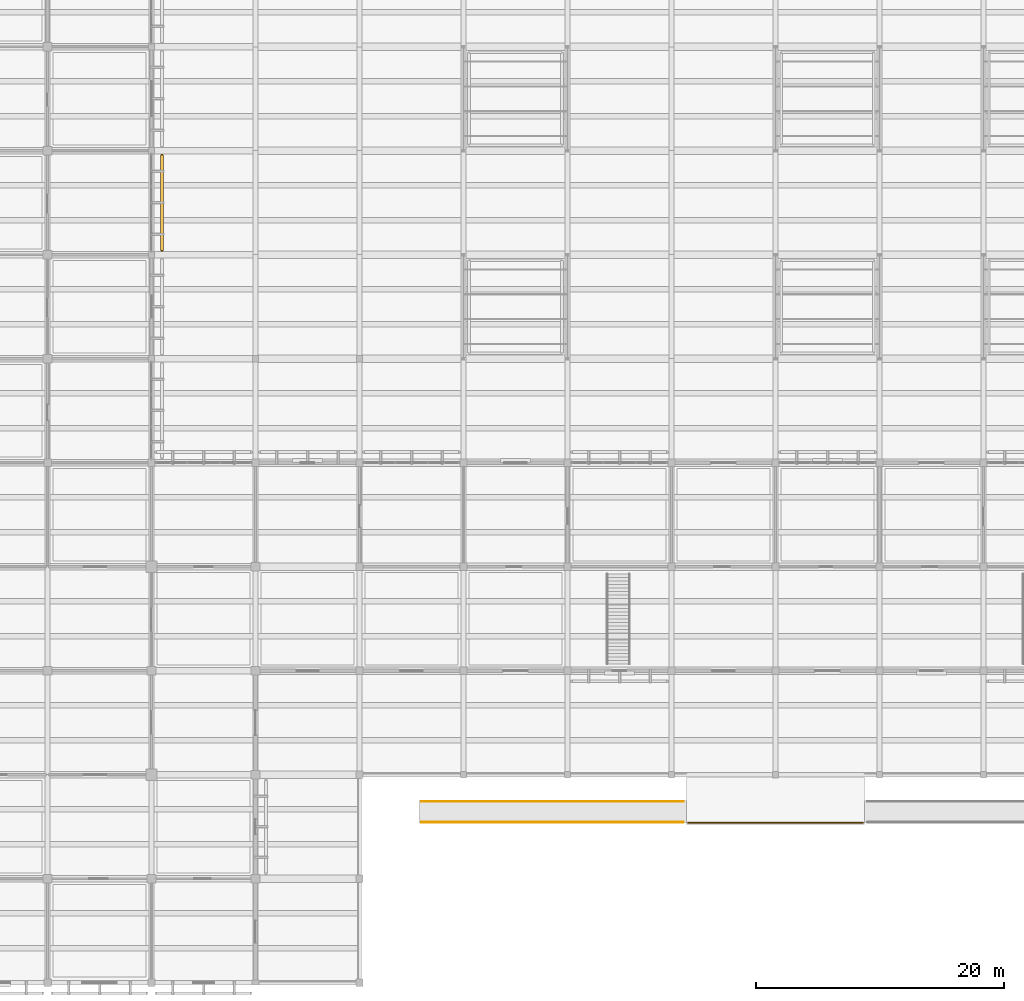
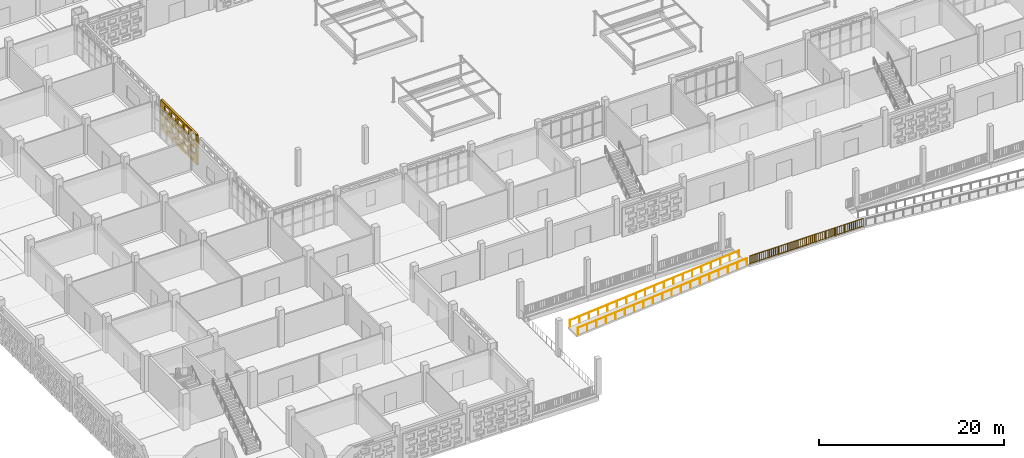
# One storey, part 90 of 129: 3 railings, 1 covering, 1 shading device, 20 openings.
"""IFC4 building model written with IfcOpenShell, lengths in metres."""

from ifc_helpers import new_model, si_unit, direction, frame, frame_2d, origin, origin_2d, place, context, subcontext, project, spatial, rectangle, circle, extrude, material, layer, layer_set, type_object, element, save


model = new_model("IFC4")

# Units and contexts
model_context = context("Model", 3, precision=1e-05, world=origin(), true_north=direction((0.0, 1.0)))
body_context = subcontext(model_context, "Body", "Model", "MODEL_VIEW")
ifc_project = project(units=[si_unit("LENGTHUNIT", "METRE"), si_unit("AREAUNIT", "SQUARE_METRE"), si_unit("VOLUMEUNIT", "CUBIC_METRE"), si_unit("PLANEANGLEUNIT", "RADIAN"), si_unit("MASSUNIT", "GRAM", prefix="KILO")], contexts=[model_context])

# Site, building, storey
site_placement = place(None, origin())
site = spatial("IfcSite", under=ifc_project, at=site_placement, CompositionType="ELEMENT")
building_placement = place(site_placement, origin())
building = spatial("IfcBuilding", under=site, at=building_placement, Name="Varnapada Polytechnic", CompositionType="ELEMENT")
storey_placement = place(building_placement, origin())
storey = spatial("IfcBuildingStorey", under=building, at=storey_placement, Name="L00", CompositionType="ELEMENT", Elevation=0.0)

# Railings
ifc_material_1 = material(Name="Stainless steel handrail", Category="steel")
railing_type_1 = type_object("IfcRailingType", Name="Ramp Handrail HRL-01", PredefinedType="HANDRAIL", material=ifc_material_1)
railing_1_placement = place(storey_placement, frame((63.800048828125, 12.9599609375, -1.800048828125)))
element("IfcRailing", 1, at=railing_1_placement, inside=storey, type_object=railing_type_1, Name="South square west colonnade plinth ramp handrail L", PredefinedType="HANDRAIL", context=body_context, shape_type="SweptSolid", body=[
    extrude(circle(Radius=0.02392578125, at=origin_2d()), frame((0.0, 0.0, 0.89599609375), z_axis=(0.996397779752, 0.0, 0.084802502945), x_axis=(0.0, 1.0, 0.0)), (0.0, 0.0, 1.0), 21.226318359375),
    extrude(circle(Radius=0.02099609375, at=origin_2d()), origin(), (0.0, 0.0, 1.0), 0.871826171875),
    extrude(circle(Radius=0.02099609375, at=origin_2d()), frame((1.175048828125, 0.0, 0.10009765625)), (0.0, 0.0, 1.0), 0.871826171875),
    extrude(circle(Radius=0.02099609375, at=origin_2d()), frame((2.35009765625, 0.0, 0.199951171875)), (0.0, 0.0, 1.0), 0.871826171875),
    extrude(circle(Radius=0.02099609375, at=origin_2d()), frame((3.52490234375, 0.0, 0.300048828125)), (0.0, 0.0, 1.0), 0.871826171875),
    extrude(circle(Radius=0.02099609375, at=origin_2d()), frame((4.699951171875, 0.0, 0.39990234375)), (0.0, 0.0, 1.0), 0.871826171875),
    extrude(circle(Radius=0.02099609375, at=origin_2d()), frame((5.875, 0.0, 0.5)), (0.0, 0.0, 1.0), 0.871826171875),
    extrude(circle(Radius=0.02099609375, at=origin_2d()), frame((7.050048828125, 0.0, 0.60009765625)), (0.0, 0.0, 1.0), 0.871826171875),
    extrude(circle(Radius=0.02099609375, at=origin_2d()), frame((8.224853515625, 0.0, 0.699951171875)), (0.0, 0.0, 1.0), 0.871826171875),
    extrude(circle(Radius=0.02099609375, at=origin_2d()), frame((9.39990234375, 0.0, 0.800048828125)), (0.0, 0.0, 1.0), 0.871826171875),
    extrude(circle(Radius=0.02099609375, at=origin_2d()), frame((10.574951171875, 0.0, 0.89990234375)), (0.0, 0.0, 1.0), 0.871826171875),
    extrude(circle(Radius=0.02099609375, at=origin_2d()), frame((11.75, 0.0, 1.0)), (0.0, 0.0, 1.0), 0.871826171875),
    extrude(circle(Radius=0.02099609375, at=origin_2d()), frame((12.925048828125, 0.0, 1.10009765625)), (0.0, 0.0, 1.0), 0.871826171875),
    extrude(circle(Radius=0.02099609375, at=origin_2d()), frame((14.099853515625, 0.0, 1.199951171875)), (0.0, 0.0, 1.0), 0.871826171875),
    extrude(circle(Radius=0.02099609375, at=origin_2d()), frame((15.27490234375, 0.0, 1.300048828125)), (0.0, 0.0, 1.0), 0.871826171875),
    extrude(circle(Radius=0.02099609375, at=origin_2d()), frame((16.449951171875, 0.0, 1.400146484375)), (0.0, 0.0, 1.0), 0.871826171875),
    extrude(circle(Radius=0.02099609375, at=origin_2d()), frame((17.625, 0.0, 1.5)), (0.0, 0.0, 1.0), 0.871826171875),
    extrude(circle(Radius=0.02099609375, at=origin_2d()), frame((18.7998046875, 0.0, 1.60009765625)), (0.0, 0.0, 1.0), 0.871826171875),
    extrude(circle(Radius=0.02099609375, at=origin_2d()), frame((19.974853515625, 0.0, 1.699951171875)), (0.0, 0.0, 1.0), 0.871826171875),
    extrude(circle(Radius=0.02099609375, at=origin_2d()), frame((21.14990234375, 0.0, 1.800048828125)), (0.0, 0.0, 1.0), 0.871826171875),
])
railing_2_placement = place(storey_placement, frame((63.800048828125, 14.639892578125, -1.800048828125)))
element("IfcRailing", 2, at=railing_2_placement, inside=storey, type_object=railing_type_1, Name="South square west colonnade plinth ramp handrail R", PredefinedType="HANDRAIL", context=body_context, shape_type="SweptSolid", body=[
    extrude(circle(Radius=0.02392578125, at=origin_2d()), frame((0.0, 0.0, 0.89599609375), z_axis=(0.996397779752, 0.0, 0.084802502945), x_axis=(0.0, 1.0, 0.0)), (0.0, 0.0, 1.0), 21.226318359375),
    extrude(circle(Radius=0.02099609375, at=origin_2d()), origin(), (0.0, 0.0, 1.0), 0.871826171875),
    extrude(circle(Radius=0.02099609375, at=origin_2d()), frame((1.175048828125, 0.0, 0.10009765625)), (0.0, 0.0, 1.0), 0.871826171875),
    extrude(circle(Radius=0.02099609375, at=origin_2d()), frame((2.35009765625, 0.0, 0.199951171875)), (0.0, 0.0, 1.0), 0.871826171875),
    extrude(circle(Radius=0.02099609375, at=origin_2d()), frame((3.52490234375, 0.0, 0.300048828125)), (0.0, 0.0, 1.0), 0.871826171875),
    extrude(circle(Radius=0.02099609375, at=origin_2d()), frame((4.699951171875, 0.0, 0.39990234375)), (0.0, 0.0, 1.0), 0.871826171875),
    extrude(circle(Radius=0.02099609375, at=origin_2d()), frame((5.875, 0.0, 0.5)), (0.0, 0.0, 1.0), 0.871826171875),
    extrude(circle(Radius=0.02099609375, at=origin_2d()), frame((7.050048828125, 0.0, 0.60009765625)), (0.0, 0.0, 1.0), 0.871826171875),
    extrude(circle(Radius=0.02099609375, at=origin_2d()), frame((8.224853515625, 0.0, 0.699951171875)), (0.0, 0.0, 1.0), 0.871826171875),
    extrude(circle(Radius=0.02099609375, at=origin_2d()), frame((9.39990234375, 0.0, 0.800048828125)), (0.0, 0.0, 1.0), 0.871826171875),
    extrude(circle(Radius=0.02099609375, at=origin_2d()), frame((10.574951171875, 0.0, 0.89990234375)), (0.0, 0.0, 1.0), 0.871826171875),
    extrude(circle(Radius=0.02099609375, at=origin_2d()), frame((11.75, 0.0, 1.0)), (0.0, 0.0, 1.0), 0.871826171875),
    extrude(circle(Radius=0.02099609375, at=origin_2d()), frame((12.925048828125, 0.0, 1.10009765625)), (0.0, 0.0, 1.0), 0.871826171875),
    extrude(circle(Radius=0.02099609375, at=origin_2d()), frame((14.099853515625, 0.0, 1.199951171875)), (0.0, 0.0, 1.0), 0.871826171875),
    extrude(circle(Radius=0.02099609375, at=origin_2d()), frame((15.27490234375, 0.0, 1.300048828125)), (0.0, 0.0, 1.0), 0.871826171875),
    extrude(circle(Radius=0.02099609375, at=origin_2d()), frame((16.449951171875, 0.0, 1.400146484375)), (0.0, 0.0, 1.0), 0.871826171875),
    extrude(circle(Radius=0.02099609375, at=origin_2d()), frame((17.625, 0.0, 1.5)), (0.0, 0.0, 1.0), 0.871826171875),
    extrude(circle(Radius=0.02099609375, at=origin_2d()), frame((18.7998046875, 0.0, 1.60009765625)), (0.0, 0.0, 1.0), 0.871826171875),
    extrude(circle(Radius=0.02099609375, at=origin_2d()), frame((19.974853515625, 0.0, 1.699951171875)), (0.0, 0.0, 1.0), 0.871826171875),
    extrude(circle(Radius=0.02099609375, at=origin_2d()), frame((21.14990234375, 0.0, 1.800048828125)), (0.0, 0.0, 1.0), 0.871826171875),
])
ifc_material_2 = material(Name="Painted galvanized steel", Category="steel")
railing_type_2 = type_object("IfcRailingType", Name="Terrace Guard Rail GRD-01", PredefinedType="BALUSTRADE", material=ifc_material_2)
railing_3_placement = place(storey_placement, frame((85.320068359375, 12.919921875, 0.0)))
element("IfcRailing", 3, at=railing_3_placement, inside=storey, type_object=railing_type_2, Name="L00 civic square colonnade edge guard GRD-SQ-CS", PredefinedType="BALUSTRADE", context=body_context, shape_type="SweptSolid", body=[
    extrude(circle(Radius=0.02392578125, at=origin_2d()), frame((0.0, 0.0, 1.09619140625), z_axis=(1.0, 0.0, 0.0), x_axis=(0.0, 1.0, 0.0)), (0.0, 0.0, 1.0), 14.159912109375),
    extrude(circle(Radius=0.02392578125, at=origin_2d()), frame((0.0, 0.0, 0.10009765625), z_axis=(1.0, 0.0, 0.0), x_axis=(0.0, 1.0, 0.0)), (0.0, 0.0, 1.0), 14.159912109375),
    extrude(circle(Radius=0.02099609375, at=origin_2d()), origin(), (0.0, 0.0, 1.0), 1.072021484375),
    extrude(circle(Radius=0.02099609375, at=origin_2d()), frame((1.179931640625, 0.0, 0.0)), (0.0, 0.0, 1.0), 1.072021484375),
    extrude(circle(Radius=0.02099609375, at=origin_2d()), frame((2.35986328125, 0.0, 0.0)), (0.0, 0.0, 1.0), 1.072021484375),
    extrude(circle(Radius=0.02099609375, at=origin_2d()), frame((3.5400390625, 0.0, 0.0)), (0.0, 0.0, 1.0), 1.072021484375),
    extrude(circle(Radius=0.02099609375, at=origin_2d()), frame((4.719970703125, 0.0, 0.0)), (0.0, 0.0, 1.0), 1.072021484375),
    extrude(circle(Radius=0.02099609375, at=origin_2d()), frame((5.89990234375, 0.0, 0.0)), (0.0, 0.0, 1.0), 1.072021484375),
    extrude(circle(Radius=0.02099609375, at=origin_2d()), frame((7.080078125, 0.0, 0.0)), (0.0, 0.0, 1.0), 1.072021484375),
    extrude(circle(Radius=0.02099609375, at=origin_2d()), frame((8.260009765625, 0.0, 0.0)), (0.0, 0.0, 1.0), 1.072021484375),
    extrude(circle(Radius=0.02099609375, at=origin_2d()), frame((9.43994140625, 0.0, 0.0)), (0.0, 0.0, 1.0), 1.072021484375),
    extrude(circle(Radius=0.02099609375, at=origin_2d()), frame((10.619873046875, 0.0, 0.0)), (0.0, 0.0, 1.0), 1.072021484375),
    extrude(circle(Radius=0.02099609375, at=origin_2d()), frame((11.7998046875, 0.0, 0.0)), (0.0, 0.0, 1.0), 1.072021484375),
    extrude(circle(Radius=0.02099609375, at=origin_2d()), frame((12.97998046875, 0.0, 0.0)), (0.0, 0.0, 1.0), 1.072021484375),
    extrude(circle(Radius=0.02099609375, at=origin_2d()), frame((14.159912109375, 0.0, 0.0)), (0.0, 0.0, 1.0), 1.072021484375),
    extrude(circle(Radius=0.010009765625, at=origin_2d()), frame((0.244140625, 0.0, 0.10009765625)), (0.0, 0.0, 1.0), 0.971923828125),
    extrude(circle(Radius=0.010009765625, at=origin_2d()), frame((0.48828125, 0.0, 0.10009765625)), (0.0, 0.0, 1.0), 0.971923828125),
    extrude(circle(Radius=0.010009765625, at=origin_2d()), frame((0.732421875, 0.0, 0.10009765625)), (0.0, 0.0, 1.0), 0.971923828125),
    extrude(circle(Radius=0.010009765625, at=origin_2d()), frame((0.9765625, 0.0, 0.10009765625)), (0.0, 0.0, 1.0), 0.971923828125),
    extrude(circle(Radius=0.010009765625, at=origin_2d()), frame((1.220703125, 0.0, 0.10009765625)), (0.0, 0.0, 1.0), 0.971923828125),
    extrude(circle(Radius=0.010009765625, at=origin_2d()), frame((1.46484375, 0.0, 0.10009765625)), (0.0, 0.0, 1.0), 0.971923828125),
    extrude(circle(Radius=0.010009765625, at=origin_2d()), frame((1.708984375, 0.0, 0.10009765625)), (0.0, 0.0, 1.0), 0.971923828125),
    extrude(circle(Radius=0.010009765625, at=origin_2d()), frame((1.953125, 0.0, 0.10009765625)), (0.0, 0.0, 1.0), 0.971923828125),
    extrude(circle(Radius=0.010009765625, at=origin_2d()), frame((2.197265625, 0.0, 0.10009765625)), (0.0, 0.0, 1.0), 0.971923828125),
    extrude(circle(Radius=0.010009765625, at=origin_2d()), frame((2.44140625, 0.0, 0.10009765625)), (0.0, 0.0, 1.0), 0.971923828125),
    extrude(circle(Radius=0.010009765625, at=origin_2d()), frame((2.685546875, 0.0, 0.10009765625)), (0.0, 0.0, 1.0), 0.971923828125),
    extrude(circle(Radius=0.010009765625, at=origin_2d()), frame((2.9296875, 0.0, 0.10009765625)), (0.0, 0.0, 1.0), 0.971923828125),
    extrude(circle(Radius=0.010009765625, at=origin_2d()), frame((3.173828125, 0.0, 0.10009765625)), (0.0, 0.0, 1.0), 0.971923828125),
    extrude(circle(Radius=0.010009765625, at=origin_2d()), frame((3.41796875, 0.0, 0.10009765625)), (0.0, 0.0, 1.0), 0.971923828125),
    extrude(circle(Radius=0.010009765625, at=origin_2d()), frame((3.662109375, 0.0, 0.10009765625)), (0.0, 0.0, 1.0), 0.971923828125),
    extrude(circle(Radius=0.010009765625, at=origin_2d()), frame((3.90625, 0.0, 0.10009765625)), (0.0, 0.0, 1.0), 0.971923828125),
    extrude(circle(Radius=0.010009765625, at=origin_2d()), frame((4.150390625, 0.0, 0.10009765625)), (0.0, 0.0, 1.0), 0.971923828125),
    extrude(circle(Radius=0.010009765625, at=origin_2d()), frame((4.39453125, 0.0, 0.10009765625)), (0.0, 0.0, 1.0), 0.971923828125),
    extrude(circle(Radius=0.010009765625, at=origin_2d()), frame((4.638671875, 0.0, 0.10009765625)), (0.0, 0.0, 1.0), 0.971923828125),
    extrude(circle(Radius=0.010009765625, at=origin_2d()), frame((4.8828125, 0.0, 0.10009765625)), (0.0, 0.0, 1.0), 0.971923828125),
    extrude(circle(Radius=0.010009765625, at=origin_2d()), frame((5.126953125, 0.0, 0.10009765625)), (0.0, 0.0, 1.0), 0.971923828125),
    extrude(circle(Radius=0.010009765625, at=origin_2d()), frame((5.37109375, 0.0, 0.10009765625)), (0.0, 0.0, 1.0), 0.971923828125),
    extrude(circle(Radius=0.010009765625, at=origin_2d()), frame((5.615234375, 0.0, 0.10009765625)), (0.0, 0.0, 1.0), 0.971923828125),
    extrude(circle(Radius=0.010009765625, at=origin_2d()), frame((5.859375, 0.0, 0.10009765625)), (0.0, 0.0, 1.0), 0.971923828125),
    extrude(circle(Radius=0.010009765625, at=origin_2d()), frame((6.103515625, 0.0, 0.10009765625)), (0.0, 0.0, 1.0), 0.971923828125),
    extrude(circle(Radius=0.010009765625, at=origin_2d()), frame((6.34765625, 0.0, 0.10009765625)), (0.0, 0.0, 1.0), 0.971923828125),
    extrude(circle(Radius=0.010009765625, at=origin_2d()), frame((6.591796875, 0.0, 0.10009765625)), (0.0, 0.0, 1.0), 0.971923828125),
    extrude(circle(Radius=0.010009765625, at=origin_2d()), frame((6.8359375, 0.0, 0.10009765625)), (0.0, 0.0, 1.0), 0.971923828125),
    extrude(circle(Radius=0.010009765625, at=origin_2d()), frame((7.080078125, 0.0, 0.10009765625)), (0.0, 0.0, 1.0), 0.971923828125),
    extrude(circle(Radius=0.010009765625, at=origin_2d()), frame((7.323974609375, 0.0, 0.10009765625)), (0.0, 0.0, 1.0), 0.971923828125),
    extrude(circle(Radius=0.010009765625, at=origin_2d()), frame((7.568115234375, 0.0, 0.10009765625)), (0.0, 0.0, 1.0), 0.971923828125),
    extrude(circle(Radius=0.010009765625, at=origin_2d()), frame((7.812255859375, 0.0, 0.10009765625)), (0.0, 0.0, 1.0), 0.971923828125),
    extrude(circle(Radius=0.010009765625, at=origin_2d()), frame((8.056396484375, 0.0, 0.10009765625)), (0.0, 0.0, 1.0), 0.971923828125),
    extrude(circle(Radius=0.010009765625, at=origin_2d()), frame((8.300537109375, 0.0, 0.10009765625)), (0.0, 0.0, 1.0), 0.971923828125),
    extrude(circle(Radius=0.010009765625, at=origin_2d()), frame((8.544677734375, 0.0, 0.10009765625)), (0.0, 0.0, 1.0), 0.971923828125),
    extrude(circle(Radius=0.010009765625, at=origin_2d()), frame((8.788818359375, 0.0, 0.10009765625)), (0.0, 0.0, 1.0), 0.971923828125),
    extrude(circle(Radius=0.010009765625, at=origin_2d()), frame((9.032958984375, 0.0, 0.10009765625)), (0.0, 0.0, 1.0), 0.971923828125),
    extrude(circle(Radius=0.010009765625, at=origin_2d()), frame((9.277099609375, 0.0, 0.10009765625)), (0.0, 0.0, 1.0), 0.971923828125),
    extrude(circle(Radius=0.010009765625, at=origin_2d()), frame((9.521240234375, 0.0, 0.10009765625)), (0.0, 0.0, 1.0), 0.971923828125),
    extrude(circle(Radius=0.010009765625, at=origin_2d()), frame((9.765380859375, 0.0, 0.10009765625)), (0.0, 0.0, 1.0), 0.971923828125),
    extrude(circle(Radius=0.010009765625, at=origin_2d()), frame((10.009521484375, 0.0, 0.10009765625)), (0.0, 0.0, 1.0), 0.971923828125),
    extrude(circle(Radius=0.010009765625, at=origin_2d()), frame((10.253662109375, 0.0, 0.10009765625)), (0.0, 0.0, 1.0), 0.971923828125),
    extrude(circle(Radius=0.010009765625, at=origin_2d()), frame((10.497802734375, 0.0, 0.10009765625)), (0.0, 0.0, 1.0), 0.971923828125),
    extrude(circle(Radius=0.010009765625, at=origin_2d()), frame((10.741943359375, 0.0, 0.10009765625)), (0.0, 0.0, 1.0), 0.971923828125),
    extrude(circle(Radius=0.010009765625, at=origin_2d()), frame((10.986083984375, 0.0, 0.10009765625)), (0.0, 0.0, 1.0), 0.971923828125),
    extrude(circle(Radius=0.010009765625, at=origin_2d()), frame((11.230224609375, 0.0, 0.10009765625)), (0.0, 0.0, 1.0), 0.971923828125),
    extrude(circle(Radius=0.010009765625, at=origin_2d()), frame((11.474365234375, 0.0, 0.10009765625)), (0.0, 0.0, 1.0), 0.971923828125),
    extrude(circle(Radius=0.010009765625, at=origin_2d()), frame((11.718505859375, 0.0, 0.10009765625)), (0.0, 0.0, 1.0), 0.971923828125),
    extrude(circle(Radius=0.010009765625, at=origin_2d()), frame((11.962646484375, 0.0, 0.10009765625)), (0.0, 0.0, 1.0), 0.971923828125),
    extrude(circle(Radius=0.010009765625, at=origin_2d()), frame((12.206787109375, 0.0, 0.10009765625)), (0.0, 0.0, 1.0), 0.971923828125),
    extrude(circle(Radius=0.010009765625, at=origin_2d()), frame((12.450927734375, 0.0, 0.10009765625)), (0.0, 0.0, 1.0), 0.971923828125),
    extrude(circle(Radius=0.010009765625, at=origin_2d()), frame((12.695068359375, 0.0, 0.10009765625)), (0.0, 0.0, 1.0), 0.971923828125),
    extrude(circle(Radius=0.010009765625, at=origin_2d()), frame((12.939208984375, 0.0, 0.10009765625)), (0.0, 0.0, 1.0), 0.971923828125),
    extrude(circle(Radius=0.010009765625, at=origin_2d()), frame((13.183349609375, 0.0, 0.10009765625)), (0.0, 0.0, 1.0), 0.971923828125),
    extrude(circle(Radius=0.010009765625, at=origin_2d()), frame((13.427490234375, 0.0, 0.10009765625)), (0.0, 0.0, 1.0), 0.971923828125),
    extrude(circle(Radius=0.010009765625, at=origin_2d()), frame((13.671630859375, 0.0, 0.10009765625)), (0.0, 0.0, 1.0), 0.971923828125),
    extrude(circle(Radius=0.010009765625, at=origin_2d()), frame((13.915771484375, 0.0, 0.10009765625)), (0.0, 0.0, 1.0), 0.971923828125),
])

# Covering, openings
ifc_material_3 = material(Name="Earth-toned architectural terracotta screen block", Category="masonry")
ifc_layer_1 = layer(ifc_material_3, 0.1201171875)
ifc_layer_set_1 = layer_set([ifc_layer_1], Name="Earth-toned architectural terracotta screen block")
covering_type = type_object("IfcCoveringType", Name="Terracotta Screen Cladding CLD-01", PredefinedType="CLADDING", material=ifc_layer_set_1)
covering_placement = place(storey_placement, frame((42.85009765625, 66.949951171875, 0.0), z_axis=(0.0, 0.0, 1.0), x_axis=(0.0, -1.0, 0.0)))
covering = element("IfcCovering", 4, at=covering_placement, inside=storey, type_object=covering_type, Name="L00 perforated terracotta block screen (27)", PredefinedType="CLADDING", context=body_context, shape_type="SweptSolid", body=[
    extrude(rectangle(XDim=7.89990234375, YDim=0.179931640625, at=frame_2d((3.949951171875, 0.0))), origin(), (0.0, 0.0, 1.0), 3.919921875),
])
opening_1_placement = place(covering_placement, frame((0.449951171875, 0.0, 0.313720703125)))
element("IfcOpeningElement", 5, at=opening_1_placement, cuts=covering, Name="Screen perforation TBS-L00-026.1", PredefinedType="OPENING", context=body_context, shape_type="SweptSolid", body=[
    extrude(rectangle(XDim=1.0400390625, YDim=0.679931640625, at=frame_2d((0.52001953125, 0.33984375))), frame((0.0, 0.099853515625, 0.0), z_axis=(0.0, -1.0, 0.0), x_axis=(1.0, 0.0, 0.0)), (0.0, 0.0, 1.0), 0.199951171875),
])
opening_2_placement = place(covering_placement, frame((1.85009765625, 0.0, 0.313720703125)))
element("IfcOpeningElement", 6, at=opening_2_placement, cuts=covering, Name="Screen perforation TBS-L00-026.2", PredefinedType="OPENING", context=body_context, shape_type="SweptSolid", body=[
    extrude(rectangle(XDim=1.0400390625, YDim=0.679931640625, at=frame_2d((0.52001953125, 0.33984375))), frame((0.0, 0.099853515625, 0.0), z_axis=(0.0, -1.0, 0.0), x_axis=(1.0, 0.0, 0.0)), (0.0, 0.0, 1.0), 0.199951171875),
])
opening_3_placement = place(covering_placement, frame((3.25, 0.0, 0.313720703125)))
element("IfcOpeningElement", 7, at=opening_3_placement, cuts=covering, Name="Screen perforation TBS-L00-026.3", PredefinedType="OPENING", context=body_context, shape_type="SweptSolid", body=[
    extrude(rectangle(XDim=1.0400390625, YDim=0.679931640625, at=frame_2d((0.52001953125, 0.33984375))), frame((0.0, 0.099853515625, 0.0), z_axis=(0.0, -1.0, 0.0), x_axis=(1.0, 0.0, 0.0)), (0.0, 0.0, 1.0), 0.199951171875),
])
opening_4_placement = place(covering_placement, frame((4.64990234375, 0.0, 0.313720703125)))
element("IfcOpeningElement", 8, at=opening_4_placement, cuts=covering, Name="Screen perforation TBS-L00-026.4", PredefinedType="OPENING", context=body_context, shape_type="SweptSolid", body=[
    extrude(rectangle(XDim=1.0400390625, YDim=0.679931640625, at=frame_2d((0.52001953125, 0.33984375))), frame((0.0, 0.099853515625, 0.0), z_axis=(0.0, -1.0, 0.0), x_axis=(1.0, 0.0, 0.0)), (0.0, 0.0, 1.0), 0.199951171875),
])
opening_5_placement = place(covering_placement, frame((6.050048828125, 0.0, 0.313720703125)))
element("IfcOpeningElement", 9, at=opening_5_placement, cuts=covering, Name="Screen perforation TBS-L00-026.5", PredefinedType="OPENING", context=body_context, shape_type="SweptSolid", body=[
    extrude(rectangle(XDim=1.0400390625, YDim=0.679931640625, at=frame_2d((0.52001953125, 0.33984375))), frame((0.0, 0.099853515625, 0.0), z_axis=(0.0, -1.0, 0.0), x_axis=(1.0, 0.0, 0.0)), (0.0, 0.0, 1.0), 0.199951171875),
])
opening_6_placement = place(covering_placement, frame((0.81005859375, 0.0, 1.195556640625)))
element("IfcOpeningElement", 10, at=opening_6_placement, cuts=covering, Name="Screen perforation TBS-L00-026.6", PredefinedType="OPENING", context=body_context, shape_type="SweptSolid", body=[
    extrude(rectangle(XDim=1.0400390625, YDim=0.679931640625, at=frame_2d((0.52001953125, 0.33984375))), frame((0.0, 0.099853515625, 0.0), z_axis=(0.0, -1.0, 0.0), x_axis=(1.0, 0.0, 0.0)), (0.0, 0.0, 1.0), 0.199951171875),
])
opening_7_placement = place(covering_placement, frame((2.2099609375, 0.0, 1.195556640625)))
element("IfcOpeningElement", 11, at=opening_7_placement, cuts=covering, Name="Screen perforation TBS-L00-026.7", PredefinedType="OPENING", context=body_context, shape_type="SweptSolid", body=[
    extrude(rectangle(XDim=1.0400390625, YDim=0.679931640625, at=frame_2d((0.52001953125, 0.33984375))), frame((0.0, 0.099853515625, 0.0), z_axis=(0.0, -1.0, 0.0), x_axis=(1.0, 0.0, 0.0)), (0.0, 0.0, 1.0), 0.199951171875),
])
opening_8_placement = place(covering_placement, frame((3.610107421875, 0.0, 1.195556640625)))
element("IfcOpeningElement", 12, at=opening_8_placement, cuts=covering, Name="Screen perforation TBS-L00-026.8", PredefinedType="OPENING", context=body_context, shape_type="SweptSolid", body=[
    extrude(rectangle(XDim=1.0400390625, YDim=0.679931640625, at=frame_2d((0.52001953125, 0.33984375))), frame((0.0, 0.099853515625, 0.0), z_axis=(0.0, -1.0, 0.0), x_axis=(1.0, 0.0, 0.0)), (0.0, 0.0, 1.0), 0.199951171875),
])
opening_9_placement = place(covering_placement, frame((5.010009765625, 0.0, 1.195556640625)))
element("IfcOpeningElement", 13, at=opening_9_placement, cuts=covering, Name="Screen perforation TBS-L00-026.9", PredefinedType="OPENING", context=body_context, shape_type="SweptSolid", body=[
    extrude(rectangle(XDim=1.0400390625, YDim=0.679931640625, at=frame_2d((0.52001953125, 0.33984375))), frame((0.0, 0.099853515625, 0.0), z_axis=(0.0, -1.0, 0.0), x_axis=(1.0, 0.0, 0.0)), (0.0, 0.0, 1.0), 0.199951171875),
])
opening_10_placement = place(covering_placement, frame((6.409912109375, 0.0, 1.195556640625)))
element("IfcOpeningElement", 14, at=opening_10_placement, cuts=covering, Name="Screen perforation TBS-L00-026.10", PredefinedType="OPENING", context=body_context, shape_type="SweptSolid", body=[
    extrude(rectangle(XDim=1.0400390625, YDim=0.679931640625, at=frame_2d((0.52001953125, 0.33984375))), frame((0.0, 0.099853515625, 0.0), z_axis=(0.0, -1.0, 0.0), x_axis=(1.0, 0.0, 0.0)), (0.0, 0.0, 1.0), 0.199951171875),
])
opening_11_placement = place(covering_placement, frame((0.449951171875, 0.0, 2.07763671875)))
element("IfcOpeningElement", 15, at=opening_11_placement, cuts=covering, Name="Screen perforation TBS-L00-026.11", PredefinedType="OPENING", context=body_context, shape_type="SweptSolid", body=[
    extrude(rectangle(XDim=1.0400390625, YDim=0.679931640625, at=frame_2d((0.52001953125, 0.33984375))), frame((0.0, 0.099853515625, 0.0), z_axis=(0.0, -1.0, 0.0), x_axis=(1.0, 0.0, 0.0)), (0.0, 0.0, 1.0), 0.199951171875),
])
opening_12_placement = place(covering_placement, frame((1.85009765625, 0.0, 2.07763671875)))
element("IfcOpeningElement", 16, at=opening_12_placement, cuts=covering, Name="Screen perforation TBS-L00-026.12", PredefinedType="OPENING", context=body_context, shape_type="SweptSolid", body=[
    extrude(rectangle(XDim=1.0400390625, YDim=0.679931640625, at=frame_2d((0.52001953125, 0.33984375))), frame((0.0, 0.099853515625, 0.0), z_axis=(0.0, -1.0, 0.0), x_axis=(1.0, 0.0, 0.0)), (0.0, 0.0, 1.0), 0.199951171875),
])
opening_13_placement = place(covering_placement, frame((3.25, 0.0, 2.07763671875)))
element("IfcOpeningElement", 17, at=opening_13_placement, cuts=covering, Name="Screen perforation TBS-L00-026.13", PredefinedType="OPENING", context=body_context, shape_type="SweptSolid", body=[
    extrude(rectangle(XDim=1.0400390625, YDim=0.679931640625, at=frame_2d((0.52001953125, 0.33984375))), frame((0.0, 0.099853515625, 0.0), z_axis=(0.0, -1.0, 0.0), x_axis=(1.0, 0.0, 0.0)), (0.0, 0.0, 1.0), 0.199951171875),
])
opening_14_placement = place(covering_placement, frame((4.64990234375, 0.0, 2.07763671875)))
element("IfcOpeningElement", 18, at=opening_14_placement, cuts=covering, Name="Screen perforation TBS-L00-026.14", PredefinedType="OPENING", context=body_context, shape_type="SweptSolid", body=[
    extrude(rectangle(XDim=1.0400390625, YDim=0.679931640625, at=frame_2d((0.52001953125, 0.33984375))), frame((0.0, 0.099853515625, 0.0), z_axis=(0.0, -1.0, 0.0), x_axis=(1.0, 0.0, 0.0)), (0.0, 0.0, 1.0), 0.199951171875),
])
opening_15_placement = place(covering_placement, frame((6.050048828125, 0.0, 2.07763671875)))
element("IfcOpeningElement", 19, at=opening_15_placement, cuts=covering, Name="Screen perforation TBS-L00-026.15", PredefinedType="OPENING", context=body_context, shape_type="SweptSolid", body=[
    extrude(rectangle(XDim=1.0400390625, YDim=0.679931640625, at=frame_2d((0.52001953125, 0.33984375))), frame((0.0, 0.099853515625, 0.0), z_axis=(0.0, -1.0, 0.0), x_axis=(1.0, 0.0, 0.0)), (0.0, 0.0, 1.0), 0.199951171875),
])
opening_16_placement = place(covering_placement, frame((0.81005859375, 0.0, 2.959716796875)))
element("IfcOpeningElement", 20, at=opening_16_placement, cuts=covering, Name="Screen perforation TBS-L00-026.16", PredefinedType="OPENING", context=body_context, shape_type="SweptSolid", body=[
    extrude(rectangle(XDim=1.0400390625, YDim=0.679931640625, at=frame_2d((0.52001953125, 0.33984375))), frame((0.0, 0.099853515625, 0.0), z_axis=(0.0, -1.0, 0.0), x_axis=(1.0, 0.0, 0.0)), (0.0, 0.0, 1.0), 0.199951171875),
])
opening_17_placement = place(covering_placement, frame((2.2099609375, 0.0, 2.959716796875)))
element("IfcOpeningElement", 21, at=opening_17_placement, cuts=covering, Name="Screen perforation TBS-L00-026.17", PredefinedType="OPENING", context=body_context, shape_type="SweptSolid", body=[
    extrude(rectangle(XDim=1.0400390625, YDim=0.679931640625, at=frame_2d((0.52001953125, 0.33984375))), frame((0.0, 0.099853515625, 0.0), z_axis=(0.0, -1.0, 0.0), x_axis=(1.0, 0.0, 0.0)), (0.0, 0.0, 1.0), 0.199951171875),
])
opening_18_placement = place(covering_placement, frame((3.610107421875, 0.0, 2.959716796875)))
element("IfcOpeningElement", 22, at=opening_18_placement, cuts=covering, Name="Screen perforation TBS-L00-026.18", PredefinedType="OPENING", context=body_context, shape_type="SweptSolid", body=[
    extrude(rectangle(XDim=1.0400390625, YDim=0.679931640625, at=frame_2d((0.52001953125, 0.33984375))), frame((0.0, 0.099853515625, 0.0), z_axis=(0.0, -1.0, 0.0), x_axis=(1.0, 0.0, 0.0)), (0.0, 0.0, 1.0), 0.199951171875),
])
opening_19_placement = place(covering_placement, frame((5.010009765625, 0.0, 2.959716796875)))
element("IfcOpeningElement", 23, at=opening_19_placement, cuts=covering, Name="Screen perforation TBS-L00-026.19", PredefinedType="OPENING", context=body_context, shape_type="SweptSolid", body=[
    extrude(rectangle(XDim=1.0400390625, YDim=0.679931640625, at=frame_2d((0.52001953125, 0.33984375))), frame((0.0, 0.099853515625, 0.0), z_axis=(0.0, -1.0, 0.0), x_axis=(1.0, 0.0, 0.0)), (0.0, 0.0, 1.0), 0.199951171875),
])
opening_20_placement = place(covering_placement, frame((6.409912109375, 0.0, 2.959716796875)))
element("IfcOpeningElement", 24, at=opening_20_placement, cuts=covering, Name="Screen perforation TBS-L00-026.20", PredefinedType="OPENING", context=body_context, shape_type="SweptSolid", body=[
    extrude(rectangle(XDim=1.0400390625, YDim=0.679931640625, at=frame_2d((0.52001953125, 0.33984375))), frame((0.0, 0.099853515625, 0.0), z_axis=(0.0, -1.0, 0.0), x_axis=(1.0, 0.0, 0.0)), (0.0, 0.0, 1.0), 0.199951171875),
])

# Shading device
ifc_layer_2 = layer(ifc_material_3, 0.179931640625)
ifc_layer_set_2 = layer_set([ifc_layer_2], Name="Earth-toned architectural terracotta screen block")
shading_device_type = type_object("IfcShadingDeviceType", Name="Terracotta Screen SCR-02", PredefinedType="USERDEFINED", material=ifc_layer_set_2)
shading_device_placement = place(storey_placement, frame((42.85009765625, 63.0, 3.909912109375), z_axis=(0.0, 0.0, 1.0), x_axis=(0.0, -1.0, 0.0)))
element("IfcShadingDevice", 25, at=shading_device_placement, inside=storey, type_object=shading_device_type, Name="L00 perforated terracotta screen hood 22", ObjectType="SCREEN", PredefinedType="USERDEFINED", context=body_context, shape_type="SweptSolid", body=[
    extrude(rectangle(XDim=7.699951171875, YDim=0.239990234375, at=origin_2d()), origin(), (0.0, 0.0, 1.0), 0.10009765625),
])

save(model, "model.ifc")
